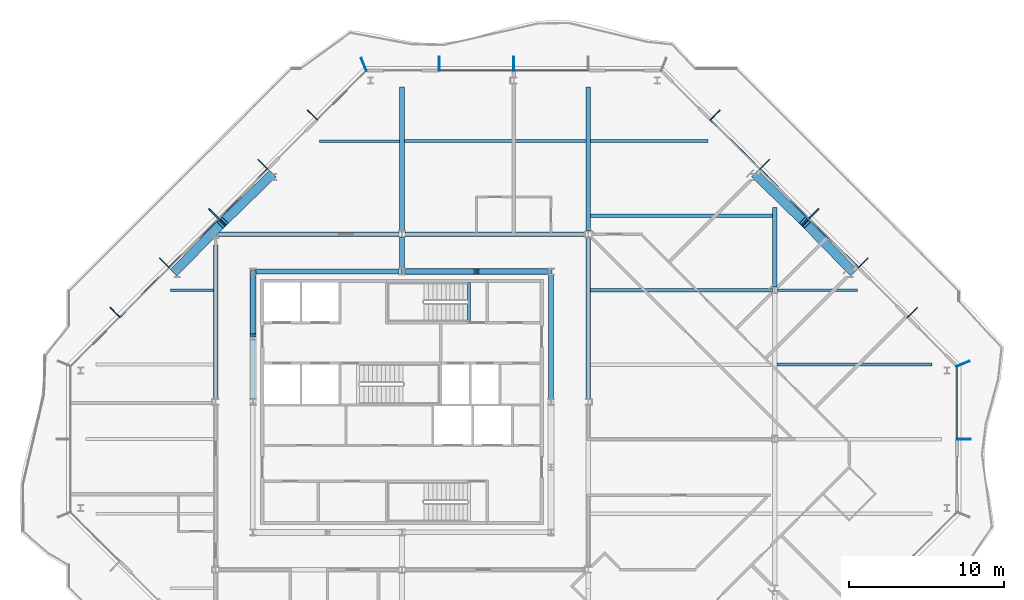
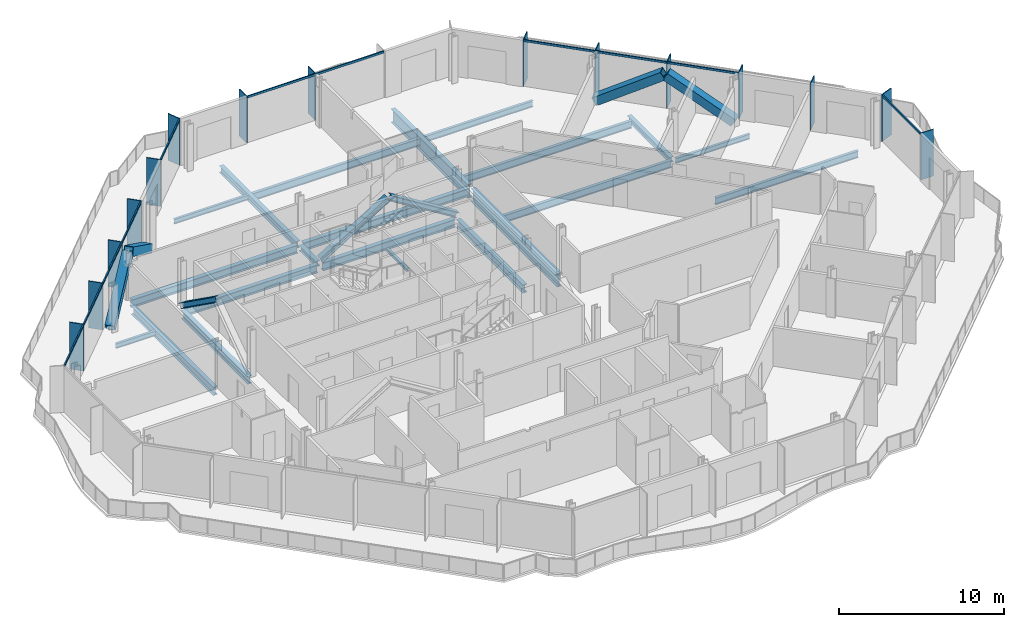
# One storey, part 4 of 17: 33 members, 21 beams, 4 elements without a shape of their own.
"""IFC4 building model written with IfcOpenShell, lengths in metres."""

from ifc_helpers import new_model, si_unit, direction, frame, origin, origin_2d, place, context, subcontext, project, spatial, rectangle, hollow_rectangle, i_section, extrude, material, material_profile, profile_set, type_object, element, aggregate, save


model = new_model("IFC4")

# Units and contexts
model_context = context("Model", 3, precision=1e-05, world=origin(), true_north=direction((0.0, 1.0)))
body_context = subcontext(model_context, "Body", "Model", "MODEL_VIEW")
ifc_project = project(units=[si_unit("LENGTHUNIT", "METRE"), si_unit("AREAUNIT", "SQUARE_METRE"), si_unit("VOLUMEUNIT", "CUBIC_METRE"), si_unit("PLANEANGLEUNIT", "RADIAN"), si_unit("MASSUNIT", "GRAM", prefix="KILO")], contexts=[model_context])

# Site, building, storey
site_placement = place(None, origin())
site = spatial("IfcSite", under=ifc_project, at=site_placement, CompositionType="ELEMENT")
building_placement = place(site_placement, origin())
building = spatial("IfcBuilding", under=site, at=building_placement, Name="Cairn Pilgrim Tower", CompositionType="ELEMENT")
storey_placement = place(building_placement, frame((0.0, 0.0, 210.60009765625)))
storey = spatial("IfcBuildingStorey", under=building, at=storey_placement, Name="L53", CompositionType="ELEMENT", Elevation=210.60009765625)

# Members
ifc_material_1 = material(Name="Structural steel S460M", Category="steel")
ifc_material_profile_1 = material_profile(ifc_material_1, hollow_rectangle(XDim=0.60009765625, YDim=0.60009765625, WallThickness=0.034912109375, at=origin_2d()), Name="BOX 600x600x35")
ifc_profile_set_1 = profile_set([ifc_material_profile_1], Name="Structural steel S460M")
member_type_1 = type_object("IfcMemberType", Name="BOX 600x600x35 BRACE", PredefinedType="BRACE", material=ifc_profile_set_1)
for number, where, z_axis, x_axis, name in (
    (1, (36.201416015625, 10.823974609375, 0.14990234375), (-0.59476326853, 0.609993709431, 0.523607036681), (-0.715988756584, -0.698111810848, 0.0), "XB-NE2-NE3-1"),
    (2, (30.02392578125, 17.00146484375, 0.14990234375), (0.609993709431, -0.59476326853, 0.523607036681), (0.698111810848, 0.715988756584, 0.0), "XB-NE2-NE3-2"),
):
    element("IfcMember", number, at=place(storey_placement, frame(where, z_axis=z_axis, x_axis=x_axis)), inside=storey, type_object=member_type_1, Name=name, PredefinedType="BRACE", context=body_context, shape_type="SweptSolid", body=[
        extrude(hollow_rectangle(XDim=0.60009765625, YDim=0.60009765625, WallThickness=0.034912109375, at=origin_2d()), origin(), (0.0, 0.0, 1.0), 5.033447265625),
    ])
member_1_placement = place(storey_placement, frame((-1.22412109375, 17.00146484375, 0.14990234375), z_axis=(-0.609963251675, -0.594780866166, 0.523622528973), x_axis=(0.698140268834, -0.71596100804, 0.0)))
element("IfcMember", 3, at=member_1_placement, inside=storey, type_object=member_type_1, Name="XB-NW2-NW3-1", PredefinedType="BRACE", context=body_context, shape_type="SweptSolid", body=[
    extrude(hollow_rectangle(XDim=0.60009765625, YDim=0.60009765625, WallThickness=0.034912109375, at=origin_2d()), origin(), (0.0, 0.0, 1.0), 5.033203125),
])
member_2_placement = place(storey_placement, frame((-7.4013671875, 10.823974609375, 0.14990234375), z_axis=(0.59476326853, 0.609993709431, 0.523607036681), x_axis=(-0.715988756584, 0.698111810848, 0.0)))
element("IfcMember", 4, at=member_2_placement, inside=storey, type_object=member_type_1, Name="XB-NW2-NW3-2", PredefinedType="BRACE", context=body_context, shape_type="SweptSolid", body=[
    extrude(hollow_rectangle(XDim=0.60009765625, YDim=0.60009765625, WallThickness=0.034912109375, at=origin_2d()), origin(), (0.0, 0.0, 1.0), 5.033447265625),
])

# Curtain wall, member
ifc_material_2 = material(Name="Aluminium alloy 6063-T6 bronze anodised with Bronze tinted laminated low-E glass 8+16+8.8", Category="aluminium")
curtain_wall_type_1 = type_object("IfcCurtainWallType", Name="TOWER STICK CURTAIN WALL EW", PredefinedType="NOTDEFINED", material=ifc_material_2)
curtain_wall_1_placement = place(storey_placement, origin())
curtain_wall_1 = element("IfcCurtainWall", 5, at=curtain_wall_1_placement, inside=storey, type_object=curtain_wall_type_1, Name="Tower Stick Curtain Wall Ew E", PredefinedType="NOTDEFINED")
ifc_material_3 = material(Name="Aluminium alloy 6063-T6 bronze anodised", Category="aluminium")
ifc_material_profile_2 = material_profile(ifc_material_3, rectangle(XDim=0.89990234375, YDim=0.06005859375, at=origin_2d()), Name="FIN MULLION 60x900 BRONZE")
ifc_profile_set_2 = profile_set([ifc_material_profile_2], Name="Aluminium alloy 6063-T6 bronze anodised")
member_type_2 = type_object("IfcMemberType", Name="FIN MULLION 60x900 BRONZE", PredefinedType="MULLION", material=ifc_profile_set_2)
member_3_placement = place(storey_placement, frame((43.3701171875, 0.0, 0.0), z_axis=(0.0, 0.0, 1.0), x_axis=(1.0, 0.0, 0.0)))
member_3 = element("IfcMember", 6, at=member_3_placement, type_object=member_type_2, Name="Fin mullion E2", PredefinedType="MULLION", context=body_context, shape_type="SweptSolid", body=[
    extrude(rectangle(XDim=0.89990234375, YDim=0.06005859375, at=origin_2d()), origin(), (0.0, 0.0, 1.0), 3.449951171875),
])

# Curtain wall, members
curtain_wall_type_2 = type_object("IfcCurtainWallType", Name="CHAMFER CORNER CURTAIN WALL", PredefinedType="NOTDEFINED", material=ifc_material_2)
curtain_wall_2_placement = place(storey_placement, origin())
curtain_wall_2 = element("IfcCurtainWall", 7, at=curtain_wall_2_placement, inside=storey, type_object=curtain_wall_type_2, Name="Chamfer Corner Curtain Wall NE", PredefinedType="NOTDEFINED")
member_4_placement = place(storey_placement, frame((43.338134765625, 4.857177734375, 0.0), z_axis=(0.0, 0.0, 1.0), x_axis=(0.923879532511, 0.382683432365, 0.0)))
member_4 = element("IfcMember", 8, at=member_4_placement, type_object=member_type_2, Name="Fin mullion NE1", PredefinedType="MULLION", context=body_context, shape_type="SweptSolid", body=[
    extrude(rectangle(XDim=0.89990234375, YDim=0.06005859375, at=origin_2d()), origin(), (0.0, 0.0, 1.0), 3.449951171875),
])
member_5_placement = place(storey_placement, frame((40.0712890625, 8.1689453125, 0.0), z_axis=(0.0, 0.0, 1.0), x_axis=(0.707106781187, 0.707106781187, 0.0)))
member_5 = element("IfcMember", 9, at=member_5_placement, type_object=member_type_2, Name="Fin mullion NE2", PredefinedType="MULLION", context=body_context, shape_type="SweptSolid", body=[
    extrude(rectangle(XDim=0.89990234375, YDim=0.06005859375, at=origin_2d()), origin(), (0.0, 0.0, 1.0), 3.449951171875),
])
member_6_placement = place(storey_placement, frame((36.895751953125, 11.3447265625, 0.0), z_axis=(0.0, 0.0, 1.0), x_axis=(0.707106781187, 0.707106781187, 0.0)))
member_6 = element("IfcMember", 10, at=member_6_placement, type_object=member_type_2, Name="Fin mullion NE3", PredefinedType="MULLION", context=body_context, shape_type="SweptSolid", body=[
    extrude(rectangle(XDim=0.89990234375, YDim=0.06005859375, at=origin_2d()), origin(), (0.0, 0.0, 1.0), 3.449951171875),
])
member_7_placement = place(storey_placement, frame((33.72021484375, 14.520263671875, 0.0), z_axis=(0.0, 0.0, 1.0), x_axis=(0.707106781187, 0.707106781187, 0.0)))
member_7 = element("IfcMember", 11, at=member_7_placement, type_object=member_type_2, Name="Fin mullion NE4", PredefinedType="MULLION", context=body_context, shape_type="SweptSolid", body=[
    extrude(rectangle(XDim=0.89990234375, YDim=0.06005859375, at=origin_2d()), origin(), (0.0, 0.0, 1.0), 3.449951171875),
])
member_8_placement = place(storey_placement, frame((30.544677734375, 17.69580078125, 0.0), z_axis=(0.0, 0.0, 1.0), x_axis=(0.707106781187, 0.707106781187, 0.0)))
member_8 = element("IfcMember", 12, at=member_8_placement, type_object=member_type_2, Name="Fin mullion NE5", PredefinedType="MULLION", context=body_context, shape_type="SweptSolid", body=[
    extrude(rectangle(XDim=0.89990234375, YDim=0.06005859375, at=origin_2d()), origin(), (0.0, 0.0, 1.0), 3.449951171875),
])
member_9_placement = place(storey_placement, frame((27.369140625, 20.871337890625, 0.0), z_axis=(0.0, 0.0, 1.0), x_axis=(0.707106781187, 0.707106781187, 0.0)))
member_9 = element("IfcMember", 13, at=member_9_placement, type_object=member_type_2, Name="Fin mullion NE6", PredefinedType="MULLION", context=body_context, shape_type="SweptSolid", body=[
    extrude(rectangle(XDim=0.89990234375, YDim=0.06005859375, at=origin_2d()), origin(), (0.0, 0.0, 1.0), 3.449951171875),
])

curtain_wall_type_3 = type_object("IfcCurtainWallType", Name="TOWER STICK CURTAIN WALL NS", PredefinedType="NOTDEFINED", material=ifc_material_2)
curtain_wall_3_placement = place(storey_placement, origin())
curtain_wall_3 = element("IfcCurtainWall", 14, at=curtain_wall_3_placement, inside=storey, type_object=curtain_wall_type_3, Name="Tower Stick Curtain Wall Ns N", PredefinedType="NOTDEFINED")
member_10_placement = place(storey_placement, frame((14.39990234375, 24.169921875, 0.0), z_axis=(0.0, 0.0, 1.0), x_axis=(0.0, 1.0, 0.0)))
member_10 = element("IfcMember", 15, at=member_10_placement, type_object=member_type_2, Name="Fin mullion N3", PredefinedType="MULLION", context=body_context, shape_type="SweptSolid", body=[
    extrude(rectangle(XDim=0.89990234375, YDim=0.06005859375, at=origin_2d()), origin(), (0.0, 0.0, 1.0), 3.449951171875),
])
member_11_placement = place(storey_placement, frame((9.60009765625, 24.169921875, 0.0), z_axis=(0.0, 0.0, 1.0), x_axis=(0.0, 1.0, 0.0)))
member_11 = element("IfcMember", 16, at=member_11_placement, type_object=member_type_2, Name="Fin mullion N4", PredefinedType="MULLION", context=body_context, shape_type="SweptSolid", body=[
    extrude(rectangle(XDim=0.89990234375, YDim=0.06005859375, at=origin_2d()), origin(), (0.0, 0.0, 1.0), 3.449951171875),
])

curtain_wall_4_placement = place(storey_placement, origin())
curtain_wall_4 = element("IfcCurtainWall", 17, at=curtain_wall_4_placement, inside=storey, type_object=curtain_wall_type_2, Name="Chamfer Corner Curtain Wall NW", PredefinedType="NOTDEFINED")
member_12_placement = place(storey_placement, frame((4.742919921875, 24.137939453125, 0.0), z_axis=(0.0, 0.0, 1.0), x_axis=(-0.382683432365, 0.923879532511, 0.0)))
member_12 = element("IfcMember", 18, at=member_12_placement, type_object=member_type_2, Name="Fin mullion NW1", PredefinedType="MULLION", context=body_context, shape_type="SweptSolid", body=[
    extrude(rectangle(XDim=0.89990234375, YDim=0.06005859375, at=origin_2d()), origin(), (0.0, 0.0, 1.0), 3.449951171875),
])
member_13_placement = place(storey_placement, frame((1.430908203125, 20.871337890625, 0.0), z_axis=(0.0, 0.0, 1.0), x_axis=(-0.707106781187, 0.707106781187, 0.0)))
member_13 = element("IfcMember", 19, at=member_13_placement, type_object=member_type_2, Name="Fin mullion NW2", PredefinedType="MULLION", context=body_context, shape_type="SweptSolid", body=[
    extrude(rectangle(XDim=0.89990234375, YDim=0.06005859375, at=origin_2d()), origin(), (0.0, 0.0, 1.0), 3.449951171875),
])
member_14_placement = place(storey_placement, frame((-1.74462890625, 17.69580078125, 0.0), z_axis=(0.0, 0.0, 1.0), x_axis=(-0.707106781187, 0.707106781187, 0.0)))
member_14 = element("IfcMember", 20, at=member_14_placement, type_object=member_type_2, Name="Fin mullion NW3", PredefinedType="MULLION", context=body_context, shape_type="SweptSolid", body=[
    extrude(rectangle(XDim=0.89990234375, YDim=0.06005859375, at=origin_2d()), origin(), (0.0, 0.0, 1.0), 3.449951171875),
])
member_15_placement = place(storey_placement, frame((-4.920166015625, 14.520263671875, 0.0), z_axis=(0.0, 0.0, 1.0), x_axis=(-0.707106781187, 0.707106781187, 0.0)))
member_15 = element("IfcMember", 21, at=member_15_placement, type_object=member_type_2, Name="Fin mullion NW4", PredefinedType="MULLION", context=body_context, shape_type="SweptSolid", body=[
    extrude(rectangle(XDim=0.89990234375, YDim=0.06005859375, at=origin_2d()), origin(), (0.0, 0.0, 1.0), 3.449951171875),
])
member_16_placement = place(storey_placement, frame((-8.095703125, 11.3447265625, 0.0), z_axis=(0.0, 0.0, 1.0), x_axis=(-0.707106781187, 0.707106781187, 0.0)))
member_16 = element("IfcMember", 22, at=member_16_placement, type_object=member_type_2, Name="Fin mullion NW5", PredefinedType="MULLION", context=body_context, shape_type="SweptSolid", body=[
    extrude(rectangle(XDim=0.89990234375, YDim=0.06005859375, at=origin_2d()), origin(), (0.0, 0.0, 1.0), 3.449951171875),
])
member_17_placement = place(storey_placement, frame((-11.271484375, 8.1689453125, 0.0), z_axis=(0.0, 0.0, 1.0), x_axis=(-0.707106781187, 0.707106781187, 0.0)))
member_17 = element("IfcMember", 23, at=member_17_placement, type_object=member_type_2, Name="Fin mullion NW6", PredefinedType="MULLION", context=body_context, shape_type="SweptSolid", body=[
    extrude(rectangle(XDim=0.89990234375, YDim=0.06005859375, at=origin_2d()), origin(), (0.0, 0.0, 1.0), 3.449951171875),
])

# Members
ifc_material_4 = material(Name="Structural steel S355J2", Category="steel")
ifc_material_profile_3 = material_profile(ifc_material_4, i_section(OverallWidth=0.39794921875, OverallDepth=0.386962890625, WebThickness=0.02099609375, FlangeThickness=0.033203125, FilletRadius=0.014892578125, at=origin_2d()), Name="HD 400x262")
ifc_profile_set_3 = profile_set([ifc_material_profile_3], Name="Structural steel S355J2")
member_type_3 = type_object("IfcMemberType", Name="HD 400x262 BRACE", PredefinedType="BRACE", material=ifc_profile_set_3)
for number, where, z_axis, x_axis, name in (
    (24, (16.759521484375, 10.800048828125, 0.099853515625), (-0.851160677397, 0.0, 0.524905230736), (0.0, -1.0, 0.0), "KB-3A"),
    (25, (7.240478515625, 10.800048828125, 0.099853515625), (0.851160677397, 0.0, 0.524905230736), (0.0, 1.0, 0.0), "KB-3B"),
):
    element("IfcMember", number, at=place(storey_placement, frame(where, z_axis=z_axis, x_axis=x_axis)), inside=storey, type_object=member_type_3, Name=name, PredefinedType="BRACE", context=body_context, shape_type="SweptSolid", body=[
        extrude(i_section(OverallWidth=0.39794921875, OverallDepth=0.386962890625, WebThickness=0.02099609375, FlangeThickness=0.033203125, FilletRadius=0.014892578125, at=origin_2d()), origin(), (0.0, 0.0, 1.0), 5.529296875),
    ])
member_18_placement = place(storey_placement, frame((-2.39990234375, 10.759521484375, 0.099853515625), z_axis=(0.0, -0.814412678688, 0.580286126659), x_axis=(1.0, 0.0, 0.0)))
element("IfcMember", 26, at=member_18_placement, inside=storey, type_object=member_type_3, Name="KB-4A", PredefinedType="BRACE", context=body_context, shape_type="SweptSolid", body=[
    extrude(i_section(OverallWidth=0.39794921875, OverallDepth=0.386962890625, WebThickness=0.02099609375, FlangeThickness=0.033203125, FilletRadius=0.014892578125, at=origin_2d()), origin(), (0.0, 0.0, 1.0), 4.9990234375),
])

# Beams
ifc_material_profile_4 = material_profile(ifc_material_4, i_section(OverallWidth=0.300048828125, OverallDepth=0.39990234375, WebThickness=0.013427734375, FlangeThickness=0.02392578125, FilletRadius=0.027099609375, at=origin_2d()), Name="HEB 400")
ifc_profile_set_4 = profile_set([ifc_material_profile_4], Name="Structural steel S355J2")
beam_type_1 = type_object("IfcBeamType", Name="HEB 400 GIRDER", PredefinedType="BEAM", material=ifc_profile_set_4)
beam_1_placement = place(storey_placement, frame((7.199951171875, 11.001953125, -0.35009765625), z_axis=(0.0, 1.0, 0.0), x_axis=(-1.0, 0.0, 0.0)))
element("IfcBeam", 27, at=beam_1_placement, inside=storey, type_object=beam_type_1, Name="PG3-E2", PredefinedType="BEAM", context=body_context, shape_type="SweptSolid", body=[
    extrude(i_section(OverallWidth=0.300048828125, OverallDepth=0.39990234375, WebThickness=0.013427734375, FlangeThickness=0.02392578125, FilletRadius=0.027099609375, at=origin_2d()), origin(), (0.0, 0.0, 1.0), 1.99853515625),
])
beam_2_placement = place(storey_placement, frame((31.199951171875, 9.799560546875, -0.35009765625), z_axis=(0.0, 1.0, 0.0), x_axis=(-1.0, 0.0, 0.0)))
element("IfcBeam", 28, at=beam_2_placement, inside=storey, type_object=beam_type_1, Name="PG5-4", PredefinedType="BEAM", context=body_context, shape_type="SweptSolid", body=[
    extrude(i_section(OverallWidth=0.300048828125, OverallDepth=0.39990234375, WebThickness=0.013427734375, FlangeThickness=0.02392578125, FilletRadius=0.027099609375, at=origin_2d()), origin(), (0.0, 0.0, 1.0), 5.121337890625),
])
ifc_material_profile_5 = material_profile(ifc_material_4, i_section(OverallWidth=0.300048828125, OverallDepth=0.5, WebThickness=0.014404296875, FlangeThickness=0.028076171875, FilletRadius=0.027099609375, at=origin_2d()), Name="HEB 500")
ifc_profile_set_5 = profile_set([ifc_material_profile_5], Name="Structural steel S355J2")
beam_type_2 = type_object("IfcBeamType", Name="HEB 500 GIRDER", PredefinedType="BEAM", material=ifc_profile_set_5)
beam_3_placement = place(storey_placement, frame((7.199951171875, 13.3994140625, -0.400146484375), z_axis=(0.0, 1.0, 0.0), x_axis=(-1.0, 0.0, 0.0)))
element("IfcBeam", 29, at=beam_3_placement, inside=storey, type_object=beam_type_2, Name="PG3-2", PredefinedType="BEAM", context=body_context, shape_type="SweptSolid", body=[
    extrude(i_section(OverallWidth=0.300048828125, OverallDepth=0.5, WebThickness=0.014404296875, FlangeThickness=0.028076171875, FilletRadius=0.027099609375, at=origin_2d()), origin(), (0.0, 0.0, 1.0), 9.280517578125),
])
ifc_material_profile_6 = material_profile(ifc_material_4, i_section(OverallWidth=0.300048828125, OverallDepth=0.60009765625, WebThickness=0.015380859375, FlangeThickness=0.030029296875, FilletRadius=0.027099609375, at=origin_2d()), Name="HEB 600")
ifc_profile_set_6 = profile_set([ifc_material_profile_6], Name="Structural steel S355J2")
beam_type_3 = type_object("IfcBeamType", Name="HEB 600 CORE BEAM", PredefinedType="BEAM", material=ifc_profile_set_6)
beam_4_placement = place(storey_placement, frame((16.800048828125, 2.581787109375, -0.4501953125), z_axis=(0.0, 1.0, 0.0), x_axis=(-1.0, 0.0, 0.0)))
element("IfcBeam", 30, at=beam_4_placement, inside=storey, type_object=beam_type_3, Name="CB-4", PredefinedType="BEAM", context=body_context, shape_type="SweptSolid", body=[
    extrude(i_section(OverallWidth=0.300048828125, OverallDepth=0.60009765625, WebThickness=0.015380859375, FlangeThickness=0.030029296875, FilletRadius=0.027099609375, at=origin_2d()), origin(), (0.0, 0.0, 1.0), 8.036376953125),
])
beam_5_placement = place(storey_placement, frame((16.6181640625, 10.800048828125, -0.4501953125), z_axis=(-1.0, 0.0, 0.0), x_axis=(0.0, -1.0, 0.0)))
element("IfcBeam", 31, at=beam_5_placement, inside=storey, type_object=beam_type_3, Name="CB-5", PredefinedType="BEAM", context=body_context, shape_type="SweptSolid", body=[
    extrude(i_section(OverallWidth=0.300048828125, OverallDepth=0.60009765625, WebThickness=0.015380859375, FlangeThickness=0.030029296875, FilletRadius=0.027099609375, at=origin_2d()), origin(), (0.0, 0.0, 1.0), 9.236328125),
])
beam_6_placement = place(storey_placement, frame((7.018310546875, 10.800048828125, -0.4501953125), z_axis=(-1.0, 0.0, 0.0), x_axis=(0.0, -1.0, 0.0)))
element("IfcBeam", 32, at=beam_6_placement, inside=storey, type_object=beam_type_3, Name="CB-6", PredefinedType="BEAM", context=body_context, shape_type="SweptSolid", body=[
    extrude(i_section(OverallWidth=0.300048828125, OverallDepth=0.60009765625, WebThickness=0.015380859375, FlangeThickness=0.030029296875, FilletRadius=0.027099609375, at=origin_2d()), origin(), (0.0, 0.0, 1.0), 9.236572265625),
])
beam_7_placement = place(storey_placement, frame((-2.39990234375, 10.6181640625, -0.4501953125), z_axis=(0.0, -1.0, 0.0), x_axis=(1.0, 0.0, 0.0)))
element("IfcBeam", 33, at=beam_7_placement, inside=storey, type_object=beam_type_3, Name="CB-7", PredefinedType="BEAM", context=body_context, shape_type="SweptSolid", body=[
    extrude(i_section(OverallWidth=0.300048828125, OverallDepth=0.60009765625, WebThickness=0.015380859375, FlangeThickness=0.030029296875, FilletRadius=0.027099609375, at=origin_2d()), origin(), (0.0, 0.0, 1.0), 8.036376953125),
])
ifc_material_profile_7 = material_profile(ifc_material_4, i_section(OverallWidth=0.300048828125, OverallDepth=0.60009765625, WebThickness=0.015380859375, FlangeThickness=0.030029296875, FilletRadius=0.027099609375, at=origin_2d()), Name="HEB 600")
ifc_profile_set_7 = profile_set([ifc_material_profile_7], Name="Structural steel S355J2")
beam_type_4 = type_object("IfcBeamType", Name="HEB 600 GIRDER", PredefinedType="BEAM", material=ifc_profile_set_7)
beam_8_placement = place(storey_placement, frame((-4.800048828125, 2.599609375, -0.4501953125), z_axis=(0.0, 1.0, 0.0), x_axis=(-1.0, 0.0, 0.0)))
element("IfcBeam", 34, at=beam_8_placement, inside=storey, type_object=beam_type_4, Name="PG2-3", PredefinedType="BEAM", context=body_context, shape_type="SweptSolid", body=[
    extrude(i_section(OverallWidth=0.300048828125, OverallDepth=0.60009765625, WebThickness=0.015380859375, FlangeThickness=0.030029296875, FilletRadius=0.027099609375, at=origin_2d()), origin(), (0.0, 0.0, 1.0), 9.921142578125),
])
ifc_material_profile_8 = material_profile(ifc_material_4, i_section(OverallWidth=0.300048828125, OverallDepth=0.60009765625, WebThickness=0.015380859375, FlangeThickness=0.030029296875, FilletRadius=0.027099609375, at=origin_2d()), Name="HEB 600")
ifc_profile_set_8 = profile_set([ifc_material_profile_8], Name="Structural steel S355J2")
beam_type_5 = type_object("IfcBeamType", Name="HEB 600 INNER GIRDER", PredefinedType="BEAM", material=ifc_profile_set_8)
for number, where, z_axis, x_axis, name in (
    (35, (-4.6005859375, 13.199951171875, -0.4501953125), (1.0, 0.0, 0.0), (0.0, 1.0, 0.0), "IG2-1"),
    (36, (7.3994140625, 13.199951171875, -0.4501953125), (1.0, 0.0, 0.0), (0.0, 1.0, 0.0), "IG2-2"),
):
    element("IfcBeam", number, at=place(storey_placement, frame(where, z_axis=z_axis, x_axis=x_axis)), inside=storey, type_object=beam_type_5, Name=name, PredefinedType="BEAM", context=body_context, shape_type="SweptSolid", body=[
        extrude(i_section(OverallWidth=0.300048828125, OverallDepth=0.60009765625, WebThickness=0.015380859375, FlangeThickness=0.030029296875, FilletRadius=0.027099609375, at=origin_2d()), origin(), (0.0, 0.0, 1.0), 11.60107421875),
    ])
ifc_material_profile_9 = material_profile(ifc_material_4, i_section(OverallWidth=0.302001953125, OverallDepth=1.008056640625, WebThickness=0.02099609375, FlangeThickness=0.0400390625, FilletRadius=0.030029296875, at=origin_2d()), Name="HEM 1000")
ifc_profile_set_9 = profile_set([ifc_material_profile_9], Name="Structural steel S355J2")
beam_type_6 = type_object("IfcBeamType", Name="HEM 1000 GIRDER", PredefinedType="BEAM", material=ifc_profile_set_9)
beam_9_placement = place(storey_placement, frame((19.199951171875, 2.599609375, -0.654052734375), z_axis=(0.0, 1.0, 0.0), x_axis=(-1.0, 0.0, 0.0)))
element("IfcBeam", 37, at=beam_9_placement, inside=storey, type_object=beam_type_6, Name="PG4-3", PredefinedType="BEAM", context=body_context, shape_type="SweptSolid", body=[
    extrude(i_section(OverallWidth=0.302001953125, OverallDepth=1.008056640625, WebThickness=0.02099609375, FlangeThickness=0.0400390625, FilletRadius=0.030029296875, at=origin_2d()), origin(), (0.0, 0.0, 1.0), 10.40087890625),
])
beam_10_placement = place(storey_placement, frame((19.199951171875, 13.3994140625, -0.654052734375), z_axis=(0.0, 1.0, 0.0), x_axis=(-1.0, 0.0, 0.0)))
element("IfcBeam", 38, at=beam_10_placement, inside=storey, type_object=beam_type_6, Name="PG4-4", PredefinedType="BEAM", context=body_context, shape_type="SweptSolid", body=[
    extrude(i_section(OverallWidth=0.302001953125, OverallDepth=1.008056640625, WebThickness=0.02099609375, FlangeThickness=0.0400390625, FilletRadius=0.030029296875, at=origin_2d()), origin(), (0.0, 0.0, 1.0), 9.280517578125),
])
ifc_material_profile_10 = material_profile(ifc_material_4, i_section(OverallWidth=0.169921875, OverallDepth=0.360107421875, WebThickness=0.008056640625, FlangeThickness=0.0126953125, FilletRadius=0.01806640625, at=origin_2d()), Name="IPE 360")
ifc_profile_set_10 = profile_set([ifc_material_profile_10], Name="Structural steel S355J2")
beam_type_7 = type_object("IfcBeamType", Name="IPE 360 SECONDARY BEAM", PredefinedType="JOIST", material=ifc_profile_set_10)
beam_11_placement = place(storey_placement, frame((-7.720703125, 9.60009765625, -0.330078125), z_axis=(1.0, 0.0, 0.0), x_axis=(0.0, 1.0, 0.0)))
element("IfcBeam", 39, at=beam_11_placement, inside=storey, type_object=beam_type_7, Name="SB7-1", PredefinedType="JOIST", context=body_context, shape_type="SweptSolid", body=[
    extrude(i_section(OverallWidth=0.169921875, OverallDepth=0.360107421875, WebThickness=0.008056640625, FlangeThickness=0.0126953125, FilletRadius=0.01806640625, at=origin_2d()), origin(), (0.0, 0.0, 1.0), 2.770751953125),
])
beam_12_placement = place(storey_placement, frame((31.35009765625, 9.60009765625, -0.330078125), z_axis=(1.0, 0.0, 0.0), x_axis=(0.0, 1.0, 0.0)))
element("IfcBeam", 40, at=beam_12_placement, inside=storey, type_object=beam_type_7, Name="SB7-3", PredefinedType="JOIST", context=body_context, shape_type="SweptSolid", body=[
    extrude(i_section(OverallWidth=0.169921875, OverallDepth=0.360107421875, WebThickness=0.008056640625, FlangeThickness=0.0126953125, FilletRadius=0.01806640625, at=origin_2d()), origin(), (0.0, 0.0, 1.0), 5.170654296875),
])
beam_13_placement = place(storey_placement, frame((1.879150390625, 19.199951171875, -0.330078125), z_axis=(1.0, 0.0, 0.0), x_axis=(0.0, 1.0, 0.0)))
element("IfcBeam", 41, at=beam_13_placement, inside=storey, type_object=beam_type_7, Name="SB9-1", PredefinedType="JOIST", context=body_context, shape_type="SweptSolid", body=[
    extrude(i_section(OverallWidth=0.169921875, OverallDepth=0.360107421875, WebThickness=0.008056640625, FlangeThickness=0.0126953125, FilletRadius=0.01806640625, at=origin_2d()), origin(), (0.0, 0.0, 1.0), 5.1708984375),
])
ifc_material_profile_11 = material_profile(ifc_material_4, i_section(OverallWidth=0.18994140625, OverallDepth=0.449951171875, WebThickness=0.009521484375, FlangeThickness=0.0146484375, FilletRadius=0.02099609375, at=origin_2d()), Name="IPE 450")
ifc_profile_set_11 = profile_set([ifc_material_profile_11], Name="Structural steel S355J2")
beam_type_8 = type_object("IfcBeamType", Name="IPE 450 SECONDARY BEAM", PredefinedType="JOIST", material=ifc_profile_set_11)
beam_14_placement = place(storey_placement, frame((19.35009765625, 19.199951171875, -0.375), z_axis=(1.0, 0.0, 0.0), x_axis=(0.0, 1.0, 0.0)))
element("IfcBeam", 42, at=beam_14_placement, inside=storey, type_object=beam_type_8, Name="SB9-3", PredefinedType="JOIST", context=body_context, shape_type="SweptSolid", body=[
    extrude(i_section(OverallWidth=0.18994140625, OverallDepth=0.449951171875, WebThickness=0.009521484375, FlangeThickness=0.0146484375, FilletRadius=0.02099609375, at=origin_2d()), origin(), (0.0, 0.0, 1.0), 7.57080078125),
])
ifc_material_profile_12 = material_profile(ifc_material_4, i_section(OverallWidth=0.199951171875, OverallDepth=0.5, WebThickness=0.01025390625, FlangeThickness=0.01611328125, FilletRadius=0.02099609375, at=origin_2d()), Name="IPE 500")
ifc_profile_set_12 = profile_set([ifc_material_profile_12], Name="Structural steel S355J2")
beam_type_9 = type_object("IfcBeamType", Name="IPE 500 SECONDARY BEAM", PredefinedType="JOIST", material=ifc_profile_set_12)
beam_15_placement = place(storey_placement, frame((31.35009765625, 4.800048828125, -0.400146484375), z_axis=(1.0, 0.0, 0.0), x_axis=(0.0, 1.0, 0.0)))
element("IfcBeam", 43, at=beam_15_placement, inside=storey, type_object=beam_type_9, Name="SB6-3", PredefinedType="JOIST", context=body_context, shape_type="SweptSolid", body=[
    extrude(i_section(OverallWidth=0.199951171875, OverallDepth=0.5, WebThickness=0.01025390625, FlangeThickness=0.01611328125, FilletRadius=0.02099609375, at=origin_2d()), origin(), (0.0, 0.0, 1.0), 9.970703125),
])
ifc_material_profile_13 = material_profile(ifc_material_4, i_section(OverallWidth=0.2099609375, OverallDepth=0.550048828125, WebThickness=0.010986328125, FlangeThickness=0.01708984375, FilletRadius=0.02392578125, at=origin_2d()), Name="IPE 550")
ifc_profile_set_13 = profile_set([ifc_material_profile_13], Name="Structural steel S355J2")
beam_type_10 = type_object("IfcBeamType", Name="IPE 550 SECONDARY BEAM", PredefinedType="JOIST", material=ifc_profile_set_13)
for number, where, z_axis, x_axis, name in (
    (44, (19.35009765625, 9.60009765625, -0.425048828125), (1.0, 0.0, 0.0), (0.0, 1.0, 0.0), "SB7-2"),
    (45, (19.35009765625, 14.39990234375, -0.425048828125), (1.0, 0.0, 0.0), (0.0, 1.0, 0.0), "SB8-1"),
    (46, (7.35009765625, 19.199951171875, -0.425048828125), (1.0, 0.0, 0.0), (0.0, 1.0, 0.0), "SB9-2"),
):
    element("IfcBeam", number, at=place(storey_placement, frame(where, z_axis=z_axis, x_axis=x_axis)), inside=storey, type_object=beam_type_10, Name=name, PredefinedType="JOIST", context=body_context, shape_type="SweptSolid", body=[
        extrude(i_section(OverallWidth=0.2099609375, OverallDepth=0.550048828125, WebThickness=0.010986328125, FlangeThickness=0.01708984375, FilletRadius=0.02392578125, at=origin_2d()), origin(), (0.0, 0.0, 1.0), 11.699951171875),
    ])
ifc_material_profile_14 = material_profile(ifc_material_4, i_section(OverallWidth=0.199951171875, OverallDepth=0.199951171875, WebThickness=0.009033203125, FlangeThickness=0.014892578125, FilletRadius=0.01806640625, at=origin_2d()), Name="HE 200 B")
ifc_profile_set_14 = profile_set([ifc_material_profile_14], Name="Structural steel S355J2")
beam_type_11 = type_object("IfcBeamType", Name="STAIR LANDING BEAM HE 200 B", PredefinedType="BEAM", material=ifc_profile_set_14)
beam_16_placement = place(storey_placement, frame((11.5244140625, 10.10009765625, -0.25), z_axis=(0.0, -1.0, 0.0), x_axis=(1.0, 0.0, 0.0)))
element("IfcBeam", 47, at=beam_16_placement, inside=storey, type_object=beam_type_11, Name="STAIR LANDING BEAM LD-HE200B", PredefinedType="BEAM", context=body_context, shape_type="SweptSolid", body=[
    extrude(i_section(OverallWidth=0.199951171875, OverallDepth=0.199951171875, WebThickness=0.009033203125, FlangeThickness=0.014892578125, FilletRadius=0.01806640625, at=origin_2d()), origin(), (0.0, 0.0, 1.0), 2.525146484375),
])

# Member
ifc_material_profile_15 = material_profile(ifc_material_3, rectangle(XDim=0.080078125, YDim=0.14990234375, at=origin_2d()), Name="TRANSOM 80x150 BRONZE")
ifc_profile_set_15 = profile_set([ifc_material_profile_15], Name="Aluminium alloy 6063-T6 bronze anodised")
member_type_4 = type_object("IfcMemberType", Name="TRANSOM 80x150 BRONZE", PredefinedType="USERDEFINED", material=ifc_profile_set_15)
member_19_placement = place(storey_placement, frame((42.949951171875, 0.030029296875, 3.375), z_axis=(0.0, 1.0, 0.0), x_axis=(-1.0, 0.0, 0.0)))
member_19 = element("IfcMember", 48, at=member_19_placement, type_object=member_type_4, Name="Transom E2", ObjectType="TRANSOM", PredefinedType="USERDEFINED", context=body_context, shape_type="SweptSolid", body=[
    extrude(rectangle(XDim=0.080078125, YDim=0.14990234375, at=origin_2d()), origin(), (0.0, 0.0, 1.0), 4.62646484375),
])

aggregate(curtain_wall_1, [member_3, member_19])

member_20_placement = place(storey_placement, frame((36.57763671875, 11.06884765625, 3.375), z_axis=(-0.707134329907, 0.707079231393, 0.0), x_axis=(-0.707079231393, -0.707134329907, 0.0)))
member_20 = element("IfcMember", 49, at=member_20_placement, type_object=member_type_4, Name="Transom NE3", ObjectType="TRANSOM", PredefinedType="USERDEFINED", context=body_context, shape_type="SweptSolid", body=[
    extrude(rectangle(XDim=0.080078125, YDim=0.14990234375, at=origin_2d()), origin(), (0.0, 0.0, 1.0), 4.430908203125),
])

member_21_placement = place(storey_placement, frame((33.402099609375, 14.244384765625, 3.375), z_axis=(-0.707106781187, 0.707106781187, 0.0), x_axis=(-0.707106781187, -0.707106781187, 0.0)))
member_21 = element("IfcMember", 50, at=member_21_placement, type_object=member_type_4, Name="Transom NE4", ObjectType="TRANSOM", PredefinedType="USERDEFINED", context=body_context, shape_type="SweptSolid", body=[
    extrude(rectangle(XDim=0.080078125, YDim=0.14990234375, at=origin_2d()), origin(), (0.0, 0.0, 1.0), 4.43115234375),
])

member_22_placement = place(storey_placement, frame((30.226318359375, 17.419921875, 3.375), z_axis=(-0.707079231393, 0.707134329907, 0.0), x_axis=(-0.707134329907, -0.707079231393, 0.0)))
member_22 = element("IfcMember", 51, at=member_22_placement, type_object=member_type_4, Name="Transom NE5", ObjectType="TRANSOM", PredefinedType="USERDEFINED", context=body_context, shape_type="SweptSolid", body=[
    extrude(rectangle(XDim=0.080078125, YDim=0.14990234375, at=origin_2d()), origin(), (0.0, 0.0, 1.0), 4.430908203125),
])

aggregate(curtain_wall_2, [member_4, member_5, member_6, member_7, member_8, member_9, member_20, member_21, member_22])

member_23_placement = place(storey_placement, frame((19.169921875, 23.75, 3.375), z_axis=(-1.0, 0.0, 0.0), x_axis=(0.0, -1.0, 0.0)))
member_23 = element("IfcMember", 52, at=member_23_placement, type_object=member_type_4, Name="Transom N2", ObjectType="TRANSOM", PredefinedType="USERDEFINED", context=body_context, shape_type="SweptSolid", body=[
    extrude(rectangle(XDim=0.080078125, YDim=0.14990234375, at=origin_2d()), origin(), (0.0, 0.0, 1.0), 4.739990234375),
])

member_24_placement = place(storey_placement, frame((14.3701171875, 23.75, 3.375), z_axis=(-1.0, 0.0, 0.0), x_axis=(0.0, -1.0, 0.0)))
member_24 = element("IfcMember", 53, at=member_24_placement, type_object=member_type_4, Name="Transom N3", ObjectType="TRANSOM", PredefinedType="USERDEFINED", context=body_context, shape_type="SweptSolid", body=[
    extrude(rectangle(XDim=0.080078125, YDim=0.14990234375, at=origin_2d()), origin(), (0.0, 0.0, 1.0), 4.740234375),
])

aggregate(curtain_wall_3, [member_10, member_11, member_23, member_24])

member_25_placement = place(storey_placement, frame((4.875244140625, 23.7216796875, 3.375), z_axis=(-0.707106781187, -0.707106781187, 0.0), x_axis=(0.707106781187, -0.707106781187, 0.0)))
member_25 = element("IfcMember", 54, at=member_25_placement, type_object=member_type_4, Name="Transom NW1", ObjectType="TRANSOM", PredefinedType="USERDEFINED", context=body_context, shape_type="SweptSolid", body=[
    extrude(rectangle(XDim=0.080078125, YDim=0.14990234375, at=origin_2d()), origin(), (0.0, 0.0, 1.0), 4.4208984375),
])

member_26_placement = place(storey_placement, frame((-1.46875, 17.377685546875, 3.375), z_axis=(-0.707106781187, -0.707106781187, 0.0), x_axis=(0.707106781187, -0.707106781187, 0.0)))
member_26 = element("IfcMember", 55, at=member_26_placement, type_object=member_type_4, Name="Transom NW3", ObjectType="TRANSOM", PredefinedType="USERDEFINED", context=body_context, shape_type="SweptSolid", body=[
    extrude(rectangle(XDim=0.080078125, YDim=0.14990234375, at=origin_2d()), origin(), (0.0, 0.0, 1.0), 4.43115234375),
])

member_27_placement = place(storey_placement, frame((-4.64453125, 14.201904296875, 3.375), z_axis=(-0.707106781187, -0.707106781187, 0.0), x_axis=(0.707106781187, -0.707106781187, 0.0)))
member_27 = element("IfcMember", 56, at=member_27_placement, type_object=member_type_4, Name="Transom NW4", ObjectType="TRANSOM", PredefinedType="USERDEFINED", context=body_context, shape_type="SweptSolid", body=[
    extrude(rectangle(XDim=0.080078125, YDim=0.14990234375, at=origin_2d()), origin(), (0.0, 0.0, 1.0), 4.430908203125),
])

member_28_placement = place(storey_placement, frame((-7.820068359375, 11.0263671875, 3.375), z_axis=(-0.707106781187, -0.707106781187, 0.0), x_axis=(0.707106781187, -0.707106781187, 0.0)))
member_28 = element("IfcMember", 57, at=member_28_placement, type_object=member_type_4, Name="Transom NW5", ObjectType="TRANSOM", PredefinedType="USERDEFINED", context=body_context, shape_type="SweptSolid", body=[
    extrude(rectangle(XDim=0.080078125, YDim=0.14990234375, at=origin_2d()), origin(), (0.0, 0.0, 1.0), 4.430908203125),
])

member_29_placement = place(storey_placement, frame((-10.99560546875, 7.850830078125, 3.375), z_axis=(-0.707106781187, -0.707106781187, 0.0), x_axis=(0.707106781187, -0.707106781187, 0.0)))
member_29 = element("IfcMember", 58, at=member_29_placement, type_object=member_type_4, Name="Transom NW6", ObjectType="TRANSOM", PredefinedType="USERDEFINED", context=body_context, shape_type="SweptSolid", body=[
    extrude(rectangle(XDim=0.080078125, YDim=0.14990234375, at=origin_2d()), origin(), (0.0, 0.0, 1.0), 4.421142578125),
])

aggregate(curtain_wall_4, [member_12, member_13, member_14, member_15, member_16, member_17, member_25, member_26, member_27, member_28, member_29])

save(model, "model.ifc")
